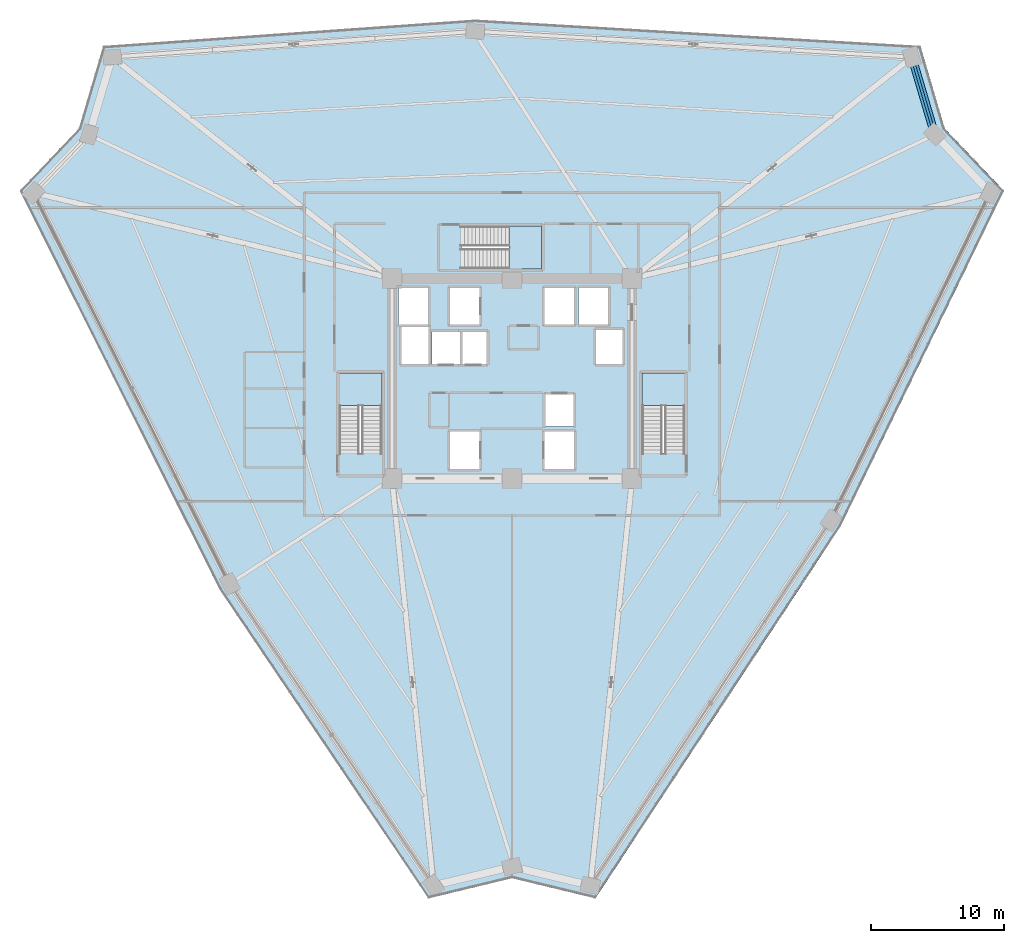
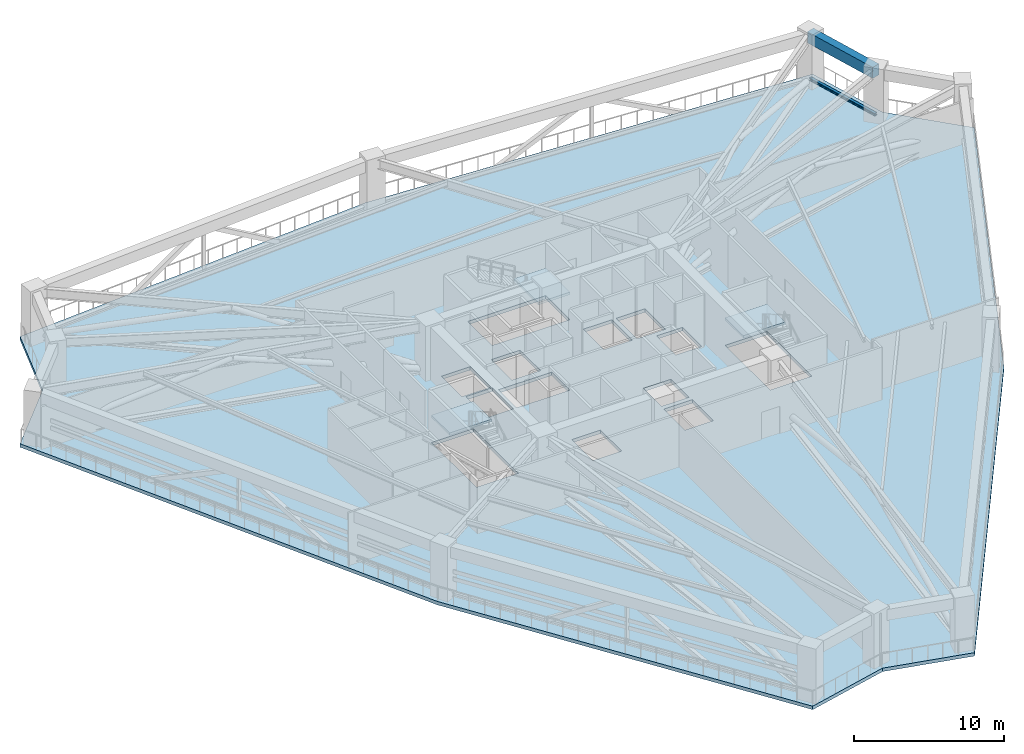
# One storey, part 11 of 23: 4 slabs, 1 beam, 1 member, 3 elements without a shape of their own.
"""IFC4 building model written with IfcOpenShell, lengths in metres."""

from ifc_helpers import new_model, si_unit, direction, frame, origin, origin_2d, place, context, subcontext, project, spatial, polyline, rectangle, i_section, outline, extrude, source, transform, mapped, material, layer, layer_set, material_profile, profile_set, type_object, element, aggregate, save


model = new_model("IFC4")

# Units and contexts
model_context = context("Model", 3, precision=1e-05, world=origin(), true_north=direction((0.0, 1.0)))
body_context = subcontext(model_context, "Body", "Model", "MODEL_VIEW")
ifc_project = project(units=[si_unit("LENGTHUNIT", "METRE"), si_unit("AREAUNIT", "SQUARE_METRE"), si_unit("VOLUMEUNIT", "CUBIC_METRE"), si_unit("PLANEANGLEUNIT", "RADIAN"), si_unit("MASSUNIT", "GRAM", prefix="KILO")], contexts=[model_context])

# Site, building, storey
site_placement = place(None, origin())
site = spatial("IfcSite", under=ifc_project, at=site_placement, CompositionType="ELEMENT")
building_placement = place(site_placement, origin())
building = spatial("IfcBuilding", under=site, at=building_placement, Name="Liaohun Quay Tower", CompositionType="ELEMENT")
storey_placement = place(building_placement, frame((0.0, 0.0, 139.5)))
storey = spatial("IfcBuildingStorey", under=building, at=storey_placement, Name="L36", CompositionType="ELEMENT", Elevation=139.5)

# Beam
ifc_material_1 = material(Name="Precast concrete C55", Category="concrete")
ifc_material_profile_1 = material_profile(ifc_material_1, rectangle(XDim=0.60009765625, YDim=0.89990234375, at=origin_2d()), Name="RC600x900")
ifc_profile_set_1 = profile_set([ifc_material_profile_1], Name="Precast concrete C55")
beam_type = type_object("IfcBeamType", Name="BM-SPD-Z2", PredefinedType="SPANDREL", material=ifc_profile_set_1)
shared_shape_1 = source(origin(), body_context, "Body", "SweptSolid", [
    extrude(rectangle(XDim=0.60009765625, YDim=0.89990234375, at=origin_2d()), origin(), (0.0, 0.0, 1.0), 6.038330078125),
])
beam_placement = place(storey_placement, frame((89.9599609375, 78.074951171875, 3.8701171875), z_axis=(0.282700394425, -0.95920826049, 0.0), x_axis=(0.95920826049, 0.282700394425, 0.0)))
element("IfcBeam", 1, at=beam_placement, inside=storey, type_object=beam_type, Name="L36 Precast Spandrel Beam PC07-PC08", PredefinedType="SPANDREL", context=body_context, shape_type="MappedRepresentation", body=[
    mapped(shared_shape_1, transform((0.0, 0.0, 0.0), x_axis=(1.0, 0.0, 0.0), y_axis=(0.0, 1.0, 0.0), z_axis=(0.0, 0.0, 1.0), scale=1.0)),
])

# Member
ifc_material_2 = material(Name="Steel Q355D", Category="steel")
ifc_material_profile_2 = material_profile(ifc_material_2, i_section(OverallWidth=0.199951171875, OverallDepth=0.199951171875, WebThickness=0.008056640625, FlangeThickness=0.011962890625, at=origin_2d()), Name="HW200x200x8x12")
ifc_profile_set_2 = profile_set([ifc_material_profile_2], Name="Steel Q355D")
member_type = type_object("IfcMemberType", Name="MEM-HDR-TRM", PredefinedType="STUD", material=ifc_profile_set_2)
shared_shape_2 = source(origin(), body_context, "Body", "SweptSolid", [
    extrude(i_section(OverallWidth=0.199951171875, OverallDepth=0.199951171875, WebThickness=0.008056640625, FlangeThickness=0.011962890625, at=origin_2d()), origin(), (0.0, 0.0, 1.0), 6.038330078125),
])
member_placement = place(storey_placement, frame((89.9599609375, 78.074951171875, 0.35009765625), z_axis=(0.282700394425, -0.95920826049, 0.0), x_axis=(0.95920826049, 0.282700394425, 0.0)))
element("IfcMember", 2, at=member_placement, inside=storey, type_object=member_type, Name="L36 Refuge Notch Header Tie Stud HT-1-02", PredefinedType="STUD", context=body_context, shape_type="MappedRepresentation", body=[
    mapped(shared_shape_2, transform((0.0, 0.0, 0.0), x_axis=(1.0, 0.0, 0.0), y_axis=(0.0, 1.0, 0.0), z_axis=(0.0, 0.0, 1.0), scale=1.0)),
])

# Stair, slab
ifc_material_3 = material(Name="Concrete C45", Category="concrete")
stair_type = type_object("IfcStairType", Name="STR-CORE-TALL", PredefinedType="HALF_TURN_STAIR", material=ifc_material_3)
stair_1_placement = place(storey_placement, origin())
stair_1 = element("IfcStair", 3, at=stair_1_placement, inside=storey, type_object=stair_type, Name="L36 Smokeproof Core Exit Stair ST-1", PredefinedType="HALF_TURN_STAIR")
ifc_layer_1 = layer(ifc_material_3, 0.199951171875, Name="Concrete C45", Category="concrete")
ifc_layer_set_1 = layer_set([ifc_layer_1], Name="Concrete C45")
slab_type_1 = type_object("IfcSlabType", Name="SLB-LND-200", PredefinedType="LANDING", material=ifc_layer_set_1)
slab_1_placement = place(storey_placement, frame((0.0, 0.0, 2.050048828125)))
slab_1 = element("IfcSlab", 4, at=slab_1_placement, type_object=slab_type_1, Name="ST-1 landing 1", PredefinedType="LANDING", context=body_context, shape_type="SweptSolid", body=[
    extrude(outline(polyline([(50.280029296875, 51.989990234375), (50.280029296875, 54.419921875), (47.0400390625, 54.419921875), (47.0400390625, 51.989990234375), (50.280029296875, 51.989990234375)])), origin(), (0.0, 0.0, 1.0), 0.199951171875),
])
aggregate(stair_1, [slab_1])

stair_2_placement = place(storey_placement, origin())
stair_2 = element("IfcStair", 5, at=stair_2_placement, inside=storey, type_object=stair_type, Name="L36 Smokeproof Core Exit Stair ST-2", PredefinedType="HALF_TURN_STAIR")
slab_2_placement = place(storey_placement, frame((0.0, 0.0, 2.050048828125)))
slab_2 = element("IfcSlab", 6, at=slab_2_placement, type_object=slab_type_1, Name="ST-2 landing 1", PredefinedType="LANDING", context=body_context, shape_type="SweptSolid", body=[
    extrude(outline(polyline([(72.9599609375, 51.989990234375), (72.9599609375, 54.419921875), (69.719970703125, 54.419921875), (69.719970703125, 51.989990234375), (72.9599609375, 51.989990234375)])), origin(), (0.0, 0.0, 1.0), 0.199951171875),
])
aggregate(stair_2, [slab_2])

stair_3_placement = place(storey_placement, origin())
stair_3 = element("IfcStair", 7, at=stair_3_placement, inside=storey, type_object=stair_type, Name="L36 Smokeproof Core Exit Stair ST-3", PredefinedType="HALF_TURN_STAIR")
slab_3_placement = place(storey_placement, frame((0.0, 0.0, 2.050048828125)))
slab_3 = element("IfcSlab", 8, at=slab_3_placement, type_object=slab_type_1, Name="ST-3 landing 1", PredefinedType="LANDING", context=body_context, shape_type="SweptSolid", body=[
    extrude(outline(polyline([(59.7900390625, 62.199951171875), (62.219970703125, 62.199951171875), (62.219970703125, 65.43994140625), (59.7900390625, 65.43994140625), (59.7900390625, 62.199951171875)])), origin(), (0.0, 0.0, 1.0), 0.199951171875),
])
aggregate(stair_3, [slab_3])

# Slab
ifc_material_4 = material(Name="Concrete C50", Category="concrete")
ifc_layer_2 = layer(ifc_material_4, 0.280029296875, Name="Concrete C50", Category="concrete")
ifc_layer_set_2 = layer_set([ifc_layer_2], Name="Concrete C50")
slab_type_2 = type_object("IfcSlabType", Name="SLB-REF-280", PredefinedType="FLOOR", material=ifc_layer_set_2)
slab_4_placement = place(storey_placement, frame((0.0, 0.0, -0.280029296875)))
element("IfcSlab", 9, at=slab_4_placement, inside=storey, type_object=slab_type_2, Name="L36 Structural Floor Slab", PredefinedType="FLOOR", context=body_context, shape_type="SweptSolid", body=[
    extrude(outline(polyline([(53.7490234375, 15.050048828125), (60.0, 16.56005859375), (66.2509765625, 15.050048828125), (84.635009765625, 42.9580078125), (96.85693359375, 68.06201171875), (92.424072265625, 72.719970703125), (90.60595703125, 78.887939453125), (57.2451171875, 80.85595703125), (29.39404296875, 78.887939453125), (27.575927734375, 72.719970703125), (23.14306640625, 68.06201171875), (38.118896484375, 38.18701171875), (53.7490234375, 15.050048828125)]), holes=[polyline([(57.56005859375, 50.030029296875), (55.340087890625, 50.030029296875), (55.340087890625, 47.2099609375), (57.56005859375, 47.2099609375), (57.56005859375, 50.030029296875)]), polyline([(50.280029296875, 54.419921875), (47.0400390625, 54.419921875), (47.0400390625, 48.409912109375), (50.280029296875, 48.409912109375), (50.280029296875, 54.419921875)]), polyline([(53.989990234375, 55.090087890625), (58.110107421875, 55.090087890625), (58.110107421875, 57.510009765625), (53.989990234375, 57.510009765625), (53.989990234375, 55.090087890625)]), polyline([(53.760009765625, 55.090087890625), (53.760009765625, 57.909912109375), (51.7099609375, 57.909912109375), (51.7099609375, 55.090087890625), (53.760009765625, 55.090087890625)]), polyline([(53.7099609375, 58.0400390625), (53.7099609375, 60.7900390625), (51.489990234375, 60.7900390625), (51.489990234375, 58.0400390625), (53.7099609375, 58.0400390625)]), polyline([(57.56005859375, 58.0400390625), (57.56005859375, 60.7900390625), (55.340087890625, 60.7900390625), (55.340087890625, 58.0400390625), (57.56005859375, 58.0400390625)]), polyline([(64.659912109375, 50.030029296875), (62.43994140625, 50.030029296875), (62.43994140625, 47.2099609375), (64.659912109375, 47.2099609375), (64.659912109375, 50.030029296875)]), polyline([(72.9599609375, 54.419921875), (69.719970703125, 54.419921875), (69.719970703125, 48.409912109375), (72.9599609375, 48.409912109375), (72.9599609375, 54.419921875)]), polyline([(64.610107421875, 50.389892578125), (64.610107421875, 52.81005859375), (62.489990234375, 52.81005859375), (62.489990234375, 50.389892578125), (64.610107421875, 50.389892578125)]), polyline([(68.2900390625, 55.090087890625), (68.2900390625, 57.659912109375), (66.2900390625, 57.659912109375), (66.2900390625, 55.090087890625), (68.2900390625, 55.090087890625)]), polyline([(64.659912109375, 58.0400390625), (64.659912109375, 60.7900390625), (62.43994140625, 60.7900390625), (62.43994140625, 58.0400390625), (64.659912109375, 58.0400390625)]), polyline([(67.2099609375, 58.0400390625), (67.2099609375, 60.7900390625), (64.989990234375, 60.7900390625), (64.989990234375, 58.0400390625), (67.2099609375, 58.0400390625)]), polyline([(62.219970703125, 62.199951171875), (62.219970703125, 65.43994140625), (56.2099609375, 65.43994140625), (56.2099609375, 62.199951171875), (62.219970703125, 62.199951171875)])]), origin(), (0.0, 0.0, 1.0), 0.280029296875),
])

save(model, "model.ifc")
